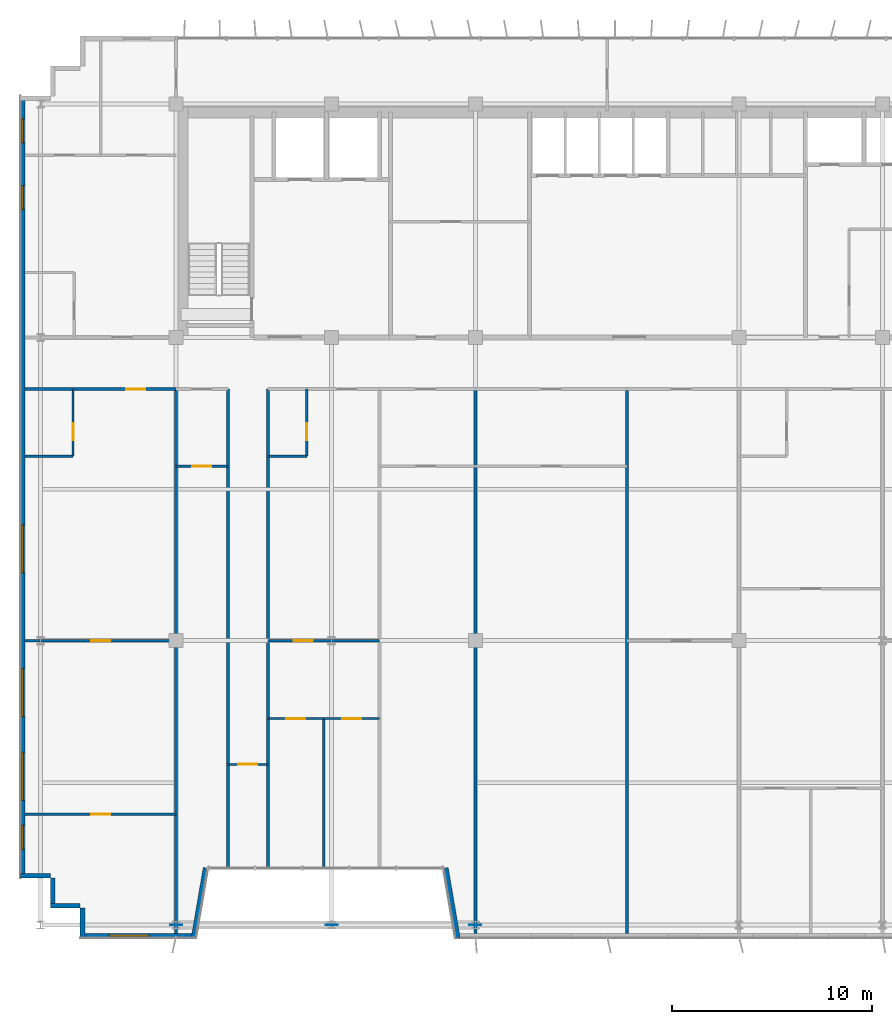
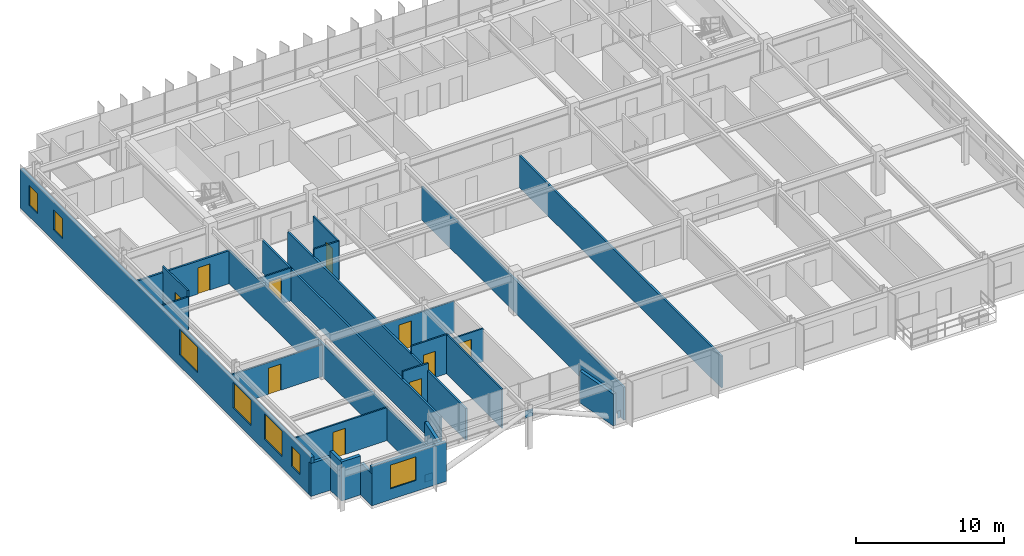
# One storey, part 18 of 24: 26 walls, 10 doors, 7 windows, 3 plates, 17 openings.
"""IFC4 building model written with IfcOpenShell, lengths in metres."""

from ifc_helpers import new_model, si_unit, direction, frame, frame_2d, origin, origin_2d, place, context, subcontext, project, spatial, rectangle, extrude, source, transform, mapped, material, layer, layer_set, type_object, element, fill, save


model = new_model("IFC4")

# Units and contexts
model_context = context("Model", 3, precision=1e-05, world=origin(), true_north=direction((0.0, 1.0)))
body_context = subcontext(model_context, "Body", "Model", "MODEL_VIEW")
ifc_project = project(units=[si_unit("LENGTHUNIT", "METRE"), si_unit("AREAUNIT", "SQUARE_METRE"), si_unit("VOLUMEUNIT", "CUBIC_METRE"), si_unit("PLANEANGLEUNIT", "RADIAN"), si_unit("MASSUNIT", "GRAM", prefix="KILO")], contexts=[model_context])

# Site, building, storey
site_placement = place(None, origin())
site = spatial("IfcSite", under=ifc_project, at=site_placement, CompositionType="ELEMENT")
building_placement = place(site_placement, origin())
building = spatial("IfcBuilding", under=site, at=building_placement, Name="Trelvane Seafront Commons", CompositionType="ELEMENT")
storey_placement = place(building_placement, frame((0.0, 0.0, 178.89990234375)))
storey = spatial("IfcBuildingStorey", under=building, at=storey_placement, Name="L47", CompositionType="ELEMENT", Elevation=178.89990234375)

# Plates
ifc_material_1 = material(Name="Steel SM355 (S355)", Category="steel")
ifc_layer_1 = layer(ifc_material_1, 0.031982421875, Name="STR-PLT-GUS2")
ifc_layer_set_1 = layer_set([ifc_layer_1], Name="Steel SM355 (S355)")
plate_type = type_object("IfcPlateType", Name="STR-PLT-GUS2", PredefinedType="SHEET", material=ifc_layer_set_1)
shared_shape_1 = source(origin(), body_context, "Body", "SweptSolid", [
    extrude(rectangle(XDim=0.60009765625, YDim=0.031982421875, at=origin_2d()), origin(), (0.0, 0.0, 1.0), 0.60009765625),
])
for number, where, z_axis, x_axis, name in (
    (1, (15.60009765625, 3.949951171875, -0.02001953125), (0.0, 0.0, 1.0), (1.0, 0.0, 0.0), "L47 Brace Connection Gusset Plate GP-186"),
    (2, (23.39990234375, 3.949951171875, 2.52001953125), (0.0, 0.0, 1.0), (1.0, 0.0, 0.0), "L47 Brace Connection Gusset Plate GP-187"),
    (3, (30.60009765625, 3.949951171875, -0.02001953125), (0.0, 0.0, 1.0), (1.0, 0.0, 0.0), "L47 Brace Connection Gusset Plate GP-188"),
):
    element("IfcPlate", number, at=place(storey_placement, frame(where, z_axis=z_axis, x_axis=x_axis)), inside=storey, type_object=plate_type, Name=name, PredefinedType="SHEET", context=body_context, shape_type="MappedRepresentation", body=[
        mapped(shared_shape_1, transform((0.0, 0.0, 0.0), x_axis=(1.0, 0.0, 0.0), y_axis=(0.0, 1.0, 0.0), z_axis=(0.0, 0.0, 1.0), scale=1.0)),
    ])

# Walls
ifc_material_2 = material(Name="Precast concrete C40/50", Category="concrete")
ifc_layer_2 = layer(ifc_material_2, 0.239990234375, Name="ARCH-WALL-EXT240")
ifc_layer_set_2 = layer_set([ifc_layer_2], Name="Precast concrete C40/50")
wall_type_1 = type_object("IfcWallType", Name="ARCH-WALL-EXT240", PredefinedType="SOLIDWALL", material=ifc_layer_set_2)
for number, where, z_axis, x_axis, name in (
    (4, (10.800048828125, 4.919921875, 0.0), (0.0, 0.0, 1.0), (-1.0, 0.0, 0.0), "EW-L47-00935"),
    (5, (9.419921875, 4.800048828125, 0.0), (0.0, 0.0, 1.0), (0.0, 1.0, 0.0), "EW-L47-00936"),
):
    element("IfcWall", number, at=place(storey_placement, frame(where, z_axis=z_axis, x_axis=x_axis)), inside=storey, type_object=wall_type_1, Name=name, PredefinedType="SOLIDWALL", context=body_context, shape_type="SweptSolid", body=[
        extrude(rectangle(XDim=1.5, YDim=0.239990234375, at=frame_2d((0.75, 0.0))), origin(), (0.0, 0.0, 1.0), 3.22021484375),
    ])
wall_1_placement = place(storey_placement, frame((9.300048828125, 6.419921875, 0.0), z_axis=(0.0, 0.0, 1.0), x_axis=(-1.0, 0.0, 0.0)))
element("IfcWall", 6, at=wall_1_placement, inside=storey, type_object=wall_type_1, Name="EW-L47-00937", PredefinedType="SOLIDWALL", context=body_context, shape_type="SweptSolid", body=[
    extrude(rectangle(XDim=1.5, YDim=0.239990234375, at=frame_2d((0.75, 0.0))), origin(), (0.0, 0.0, 1.0), 2.72021484375),
])

# Wall, openings, windows
wall_2_placement = place(storey_placement, frame((7.919921875, 6.300048828125, 0.0), z_axis=(0.0, 0.0, 1.0), x_axis=(0.0, 1.0, 0.0)))
wall_2 = element("IfcWall", 7, at=wall_2_placement, inside=storey, type_object=wall_type_1, Name="EW-L47-00938", PredefinedType="SOLIDWALL", context=body_context, shape_type="SweptSolid", body=[
    extrude(rectangle(XDim=39.199951171875, YDim=0.239990234375, at=frame_2d((19.60009765625, 0.0))), origin(), (0.0, 0.0, 1.0), 3.22021484375),
])
opening_1_placement = place(wall_2_placement, frame((1.449951171875, 0.0, 0.919921875)))
opening_1 = element("IfcOpeningElement", 8, at=opening_1_placement, cuts=wall_2, Name="Opening W05", PredefinedType="OPENING", context=body_context, shape_type="SweptSolid", body=[
    extrude(rectangle(XDim=1.199951171875, YDim=1.64990234375, at=frame_2d((0.60009765625, 0.824951171875))), frame((0.0, 0.1298828125, 0.0), z_axis=(0.0, -1.0, 0.0), x_axis=(1.0, 0.0, 0.0)), (0.0, 0.0, 1.0), 0.260009765625),
])
opening_2_placement = place(wall_2_placement, frame((3.89990234375, 0.0, 0.919921875)))
opening_2 = element("IfcOpeningElement", 9, at=opening_2_placement, cuts=wall_2, Name="Opening W08", PredefinedType="OPENING", context=body_context, shape_type="SweptSolid", body=[
    extrude(rectangle(XDim=2.39990234375, YDim=2.10009765625, at=frame_2d((1.199951171875, 1.050048828125))), frame((0.0, 0.1298828125, 0.0), z_axis=(0.0, -1.0, 0.0), x_axis=(1.0, 0.0, 0.0)), (0.0, 0.0, 1.0), 0.260009765625),
])
opening_3_placement = place(wall_2_placement, frame((8.10009765625, 0.0, 0.919921875)))
opening_3 = element("IfcOpeningElement", 10, at=opening_3_placement, cuts=wall_2, Name="Opening W08", PredefinedType="OPENING", context=body_context, shape_type="SweptSolid", body=[
    extrude(rectangle(XDim=2.39990234375, YDim=2.10009765625, at=frame_2d((1.199951171875, 1.050048828125))), frame((0.0, 0.1298828125, 0.0), z_axis=(0.0, -1.0, 0.0), x_axis=(1.0, 0.0, 0.0)), (0.0, 0.0, 1.0), 0.260009765625),
])
opening_4_placement = place(wall_2_placement, frame((15.300048828125, 0.0, 0.919921875)))
opening_4 = element("IfcOpeningElement", 11, at=opening_4_placement, cuts=wall_2, Name="Opening W08", PredefinedType="OPENING", context=body_context, shape_type="SweptSolid", body=[
    extrude(rectangle(XDim=2.39990234375, YDim=2.10009765625, at=frame_2d((1.199951171875, 1.050048828125))), frame((0.0, 0.1298828125, 0.0), z_axis=(0.0, -1.0, 0.0), x_axis=(1.0, 0.0, 0.0)), (0.0, 0.0, 1.0), 0.260009765625),
])
opening_5_placement = place(wall_2_placement, frame((33.5, 0.0, 0.919921875)))
opening_5 = element("IfcOpeningElement", 12, at=opening_5_placement, cuts=wall_2, Name="Opening W05", PredefinedType="OPENING", context=body_context, shape_type="SweptSolid", body=[
    extrude(rectangle(XDim=1.199951171875, YDim=1.64990234375, at=frame_2d((0.60009765625, 0.824951171875))), frame((0.0, 0.1298828125, 0.0), z_axis=(0.0, -1.0, 0.0), x_axis=(1.0, 0.0, 0.0)), (0.0, 0.0, 1.0), 0.260009765625),
])
opening_6_placement = place(wall_2_placement, frame((36.85009765625, 0.0, 0.919921875)))
opening_6 = element("IfcOpeningElement", 13, at=opening_6_placement, cuts=wall_2, Name="Opening W05", PredefinedType="OPENING", context=body_context, shape_type="SweptSolid", body=[
    extrude(rectangle(XDim=1.199951171875, YDim=1.64990234375, at=frame_2d((0.60009765625, 0.824951171875))), frame((0.0, 0.1298828125, 0.0), z_axis=(0.0, -1.0, 0.0), x_axis=(1.0, 0.0, 0.0)), (0.0, 0.0, 1.0), 0.260009765625),
])
ifc_material_3 = material(Name="Low-E coastal double glazing", Category="glass")
window_type_1 = type_object("IfcWindowType", Name="ARCH-WIN-W08", PartitioningType="SINGLE_PANEL", PredefinedType="WINDOW", material=ifc_material_3)
shared_shape_2 = source(origin(), body_context, "Body", "SweptSolid", [
    extrude(rectangle(XDim=2.39990234375, YDim=2.10009765625, at=frame_2d((1.199951171875, 1.050048828125))), frame((0.0, 0.030029296875, 0.0), z_axis=(0.0, -1.0, 0.0), x_axis=(1.0, 0.0, 0.0)), (0.0, 0.0, 1.0), 0.06005859375),
])
window_1_placement = place(opening_2_placement, origin())
window_1 = element("IfcWindow", 14, at=window_1_placement, inside=storey, type_object=window_type_1, Name="WIN-L47-EW-01115", OverallHeight=2.10009765625, OverallWidth=2.39990234375, PartitioningType="SINGLE_PANEL", PredefinedType="WINDOW", context=body_context, shape_type="MappedRepresentation", body=[
    mapped(shared_shape_2, transform((0.0, 0.0, 0.0), x_axis=(1.0, 0.0, 0.0), y_axis=(0.0, 1.0, 0.0), z_axis=(0.0, 0.0, 1.0), scale=1.0)),
])
fill(opening_2, window_1)
window_2_placement = place(opening_3_placement, origin())
window_2 = element("IfcWindow", 15, at=window_2_placement, inside=storey, type_object=window_type_1, Name="WIN-L47-EW-01116", OverallHeight=2.10009765625, OverallWidth=2.39990234375, PartitioningType="SINGLE_PANEL", PredefinedType="WINDOW", context=body_context, shape_type="MappedRepresentation", body=[
    mapped(shared_shape_2, transform((0.0, 0.0, 0.0), x_axis=(1.0, 0.0, 0.0), y_axis=(0.0, 1.0, 0.0), z_axis=(0.0, 0.0, 1.0), scale=1.0)),
])
fill(opening_3, window_2)
window_3_placement = place(opening_4_placement, origin())
window_3 = element("IfcWindow", 16, at=window_3_placement, inside=storey, type_object=window_type_1, Name="WIN-L47-EW-01117", OverallHeight=2.10009765625, OverallWidth=2.39990234375, PartitioningType="SINGLE_PANEL", PredefinedType="WINDOW", context=body_context, shape_type="MappedRepresentation", body=[
    mapped(shared_shape_2, transform((0.0, 0.0, 0.0), x_axis=(1.0, 0.0, 0.0), y_axis=(0.0, 1.0, 0.0), z_axis=(0.0, 0.0, 1.0), scale=1.0)),
])
fill(opening_4, window_3)
window_type_2 = type_object("IfcWindowType", Name="ARCH-WIN-W05", PartitioningType="SINGLE_PANEL", PredefinedType="WINDOW", material=ifc_material_3)
shared_shape_3 = source(origin(), body_context, "Body", "SweptSolid", [
    extrude(rectangle(XDim=1.199951171875, YDim=1.64990234375, at=frame_2d((0.60009765625, 0.824951171875))), frame((0.0, 0.030029296875, 0.0), z_axis=(0.0, -1.0, 0.0), x_axis=(1.0, 0.0, 0.0)), (0.0, 0.0, 1.0), 0.06005859375),
])
window_4_placement = place(opening_1_placement, origin())
window_4 = element("IfcWindow", 17, at=window_4_placement, inside=storey, type_object=window_type_2, Name="WIN-L47-EW-01114", OverallHeight=1.64990234375, OverallWidth=1.199951171875, PartitioningType="SINGLE_PANEL", PredefinedType="WINDOW", context=body_context, shape_type="MappedRepresentation", body=[
    mapped(shared_shape_3, transform((0.0, 0.0, 0.0), x_axis=(1.0, 0.0, 0.0), y_axis=(0.0, 1.0, 0.0), z_axis=(0.0, 0.0, 1.0), scale=1.0)),
])
fill(opening_1, window_4)
window_5_placement = place(opening_5_placement, origin())
window_5 = element("IfcWindow", 18, at=window_5_placement, inside=storey, type_object=window_type_2, Name="WIN-L47-EW-01118", OverallHeight=1.64990234375, OverallWidth=1.199951171875, PartitioningType="SINGLE_PANEL", PredefinedType="WINDOW", context=body_context, shape_type="MappedRepresentation", body=[
    mapped(shared_shape_3, transform((0.0, 0.0, 0.0), x_axis=(1.0, 0.0, 0.0), y_axis=(0.0, 1.0, 0.0), z_axis=(0.0, 0.0, 1.0), scale=1.0)),
])
fill(opening_5, window_5)
window_6_placement = place(opening_6_placement, origin())
window_6 = element("IfcWindow", 19, at=window_6_placement, inside=storey, type_object=window_type_2, Name="WIN-L47-EW-01119", OverallHeight=1.64990234375, OverallWidth=1.199951171875, PartitioningType="SINGLE_PANEL", PredefinedType="WINDOW", context=body_context, shape_type="MappedRepresentation", body=[
    mapped(shared_shape_3, transform((0.0, 0.0, 0.0), x_axis=(1.0, 0.0, 0.0), y_axis=(0.0, 1.0, 0.0), z_axis=(0.0, 0.0, 1.0), scale=1.0)),
])
fill(opening_6, window_6)

# Walls
for number, where, z_axis, x_axis, name in (
    (20, (29.71826171875, 3.3203125, 0.0), (0.0, 0.0, 1.0), (-0.168923741424, 0.98562912375, 0.0), "EW-L47-00953"),
    (21, (17.081787109375, 6.8203125, 0.0), (0.0, 0.0, 1.0), (-0.168990530437, -0.98561767467, 0.0), "EW-L47-00954"),
):
    element("IfcWall", number, at=place(storey_placement, frame(where, z_axis=z_axis, x_axis=x_axis)), inside=storey, type_object=wall_type_1, Name=name, PredefinedType="SOLIDWALL", context=body_context, shape_type="SweptSolid", body=[
        extrude(rectangle(XDim=3.551025390625, YDim=0.239990234375, at=frame_2d((1.775390625, 0.0))), origin(), (0.0, 0.0, 1.0), 2.6201171875),
    ])

# Wall, opening, window
wall_3_placement = place(storey_placement, frame((16.60009765625, 3.419921875, 0.0), z_axis=(0.0, 0.0, 1.0), x_axis=(-1.0, 0.0, 0.0)))
wall_3 = element("IfcWall", 22, at=wall_3_placement, inside=storey, type_object=wall_type_1, Name="EW-L47-00955", PredefinedType="SOLIDWALL", context=body_context, shape_type="SweptSolid", body=[
    extrude(rectangle(XDim=5.800048828125, YDim=0.239990234375, at=frame_2d((2.89990234375, 0.0))), origin(), (0.0, 0.0, 1.0), 3.22021484375),
])
opening_7_placement = place(wall_3_placement, frame((2.35498046875, 0.0, 0.89990234375)))
opening_7 = element("IfcOpeningElement", 23, at=opening_7_placement, cuts=wall_3, Name="Opening W06", PredefinedType="OPENING", context=body_context, shape_type="SweptSolid", body=[
    extrude(rectangle(XDim=2.0, YDim=1.949951171875, at=frame_2d((1.0, 0.97509765625))), frame((0.0, 0.1298828125, 0.0), z_axis=(0.0, -1.0, 0.0), x_axis=(1.0, 0.0, 0.0)), (0.0, 0.0, 1.0), 0.260009765625),
])
window_type_3 = type_object("IfcWindowType", Name="ARCH-WIN-W06", PartitioningType="SINGLE_PANEL", PredefinedType="WINDOW", material=ifc_material_3)
shared_shape_4 = source(origin(), body_context, "Body", "SweptSolid", [
    extrude(rectangle(XDim=2.0, YDim=1.949951171875, at=frame_2d((1.0, 0.97509765625))), frame((0.0, 0.030029296875, 0.0), z_axis=(0.0, -1.0, 0.0), x_axis=(1.0, 0.0, 0.0)), (0.0, 0.0, 1.0), 0.06005859375),
])
window_7_placement = place(opening_7_placement, origin())
window_7 = element("IfcWindow", 24, at=window_7_placement, inside=storey, type_object=window_type_3, Name="WIN-L47-01133", OverallHeight=1.949951171875, OverallWidth=2.0, PartitioningType="SINGLE_PANEL", PredefinedType="WINDOW", context=body_context, shape_type="MappedRepresentation", body=[
    mapped(shared_shape_4, transform((0.0, 0.0, 0.0), x_axis=(1.0, 0.0, 0.0), y_axis=(0.0, 1.0, 0.0), z_axis=(0.0, 0.0, 1.0), scale=1.0)),
])
fill(opening_7, window_7)

# Wall
wall_4_placement = place(storey_placement, frame((10.919921875, 3.300048828125, 0.0), z_axis=(0.0, 0.0, 1.0), x_axis=(0.0, 1.0, 0.0)))
element("IfcWall", 25, at=wall_4_placement, inside=storey, type_object=wall_type_1, Name="EW-L47-00956", PredefinedType="SOLIDWALL", context=body_context, shape_type="SweptSolid", body=[
    extrude(rectangle(XDim=1.5, YDim=0.239990234375, at=frame_2d((0.75, 0.0))), origin(), (0.0, 0.0, 1.0), 2.6201171875),
])

# Wall, opening, door
ifc_material_4 = material(Name="Gypsum Drywall Acoustic Partition")
ifc_layer_3 = layer(ifc_material_4, 0.1201171875, Name="ARCH-WALL-PART120")
ifc_layer_set_3 = layer_set([ifc_layer_3], Name="Gypsum Drywall Acoustic Partition")
wall_type_2 = type_object("IfcWallType", Name="ARCH-WALL-PART120", PredefinedType="PARTITIONING", material=ifc_layer_set_3)
wall_5_placement = place(storey_placement, frame((8.0400390625, 18.199951171875, 0.0), z_axis=(0.0, 0.0, 1.0), x_axis=(1.0, 0.0, 0.0)))
wall_5 = element("IfcWall", 26, at=wall_5_placement, inside=storey, type_object=wall_type_2, Name="W-L47-U1-KL-052", PredefinedType="PARTITIONING", context=body_context, shape_type="SweptSolid", body=[
    extrude(rectangle(XDim=7.56005859375, YDim=0.1201171875, at=frame_2d((3.780029296875, 0.0))), origin(), (0.0, 0.0, 1.0), 2.6201171875),
])
opening_8_placement = place(wall_5_placement, frame((3.304931640625, 0.0, 0.0)))
opening_8 = element("IfcOpeningElement", 27, at=opening_8_placement, cuts=wall_5, Name="Opening D-L47-27", PredefinedType="OPENING", context=body_context, shape_type="SweptSolid", body=[
    extrude(rectangle(XDim=0.949951171875, YDim=2.14990234375, at=frame_2d((0.47509765625, 1.074951171875))), frame((0.0, 0.070068359375, 0.0), z_axis=(0.0, -1.0, 0.0), x_axis=(1.0, 0.0, 0.0)), (0.0, 0.0, 1.0), 0.14013671875),
])
ifc_material_5 = material(Name="Acoustic timber door leaf", Category="wood")
door_type_1 = type_object("IfcDoorType", Name="ARCH-DR-INT950", OperationType="NOTDEFINED", PredefinedType="DOOR", material=ifc_material_5)
shared_shape_5 = source(origin(), body_context, "Body", "SweptSolid", [
    extrude(rectangle(XDim=0.949951171875, YDim=2.14990234375, at=frame_2d((0.47509765625, 1.074951171875))), frame((0.0, 0.02490234375, 0.0), z_axis=(0.0, -1.0, 0.0), x_axis=(1.0, 0.0, 0.0)), (0.0, 0.0, 1.0), 0.050048828125),
])
door_1_placement = place(opening_8_placement, origin())
door_1 = element("IfcDoor", 28, at=door_1_placement, inside=storey, type_object=door_type_1, Name="L47 Door 27", OperationType="SINGLE_SWING_LEFT", OverallHeight=2.14990234375, OverallWidth=0.949951171875, PredefinedType="DOOR", context=body_context, shape_type="MappedRepresentation", body=[
    mapped(shared_shape_5, transform((0.0, 0.0, 0.0), x_axis=(1.0, 0.0, 0.0), y_axis=(0.0, 1.0, 0.0), z_axis=(0.0, 0.0, 1.0), scale=1.0)),
])
fill(opening_8, door_1)

wall_6_placement = place(storey_placement, frame((10.43994140625, 27.449951171875, 0.0), z_axis=(0.0, 0.0, 1.0), x_axis=(0.0, 1.0, 0.0)))
wall_6 = element("IfcWall", 29, at=wall_6_placement, inside=storey, type_object=wall_type_2, Name="W-L47-U1-BE-053", PredefinedType="PARTITIONING", context=body_context, shape_type="SweptSolid", body=[
    extrude(rectangle(XDim=3.35009765625, YDim=0.1201171875, at=frame_2d((1.675048828125, 0.0))), origin(), (0.0, 0.0, 1.0), 3.22021484375),
])
opening_9_placement = place(wall_6_placement, frame((0.800048828125, 0.0, 0.0)))
opening_9 = element("IfcOpeningElement", 30, at=opening_9_placement, cuts=wall_6, Name="Opening D-L47-28", PredefinedType="OPENING", context=body_context, shape_type="SweptSolid", body=[
    extrude(rectangle(XDim=0.85009765625, YDim=2.10009765625, at=frame_2d((0.425048828125, 1.050048828125))), frame((0.0, 0.070068359375, 0.0), z_axis=(0.0, -1.0, 0.0), x_axis=(1.0, 0.0, 0.0)), (0.0, 0.0, 1.0), 0.14013671875),
])
door_type_2 = type_object("IfcDoorType", Name="ARCH-DR-INT850", OperationType="NOTDEFINED", PredefinedType="DOOR", material=ifc_material_5)
shared_shape_6 = source(origin(), body_context, "Body", "SweptSolid", [
    extrude(rectangle(XDim=0.85009765625, YDim=2.10009765625, at=frame_2d((0.425048828125, 1.050048828125))), frame((0.0, 0.02490234375, 0.0), z_axis=(0.0, -1.0, 0.0), x_axis=(1.0, 0.0, 0.0)), (0.0, 0.0, 1.0), 0.050048828125),
])
door_2_placement = place(opening_9_placement, origin())
door_2 = element("IfcDoor", 31, at=door_2_placement, inside=storey, type_object=door_type_2, Name="L47 Door 28", OperationType="SINGLE_SWING_RIGHT", OverallHeight=2.10009765625, OverallWidth=0.85009765625, PredefinedType="DOOR", context=body_context, shape_type="MappedRepresentation", body=[
    mapped(shared_shape_6, transform((0.0, 0.0, 0.0), x_axis=(1.0, 0.0, 0.0), y_axis=(0.0, 1.0, 0.0), z_axis=(0.0, 0.0, 1.0), scale=1.0)),
])
fill(opening_9, door_2)

# Wall
wall_7_placement = place(storey_placement, frame((8.0400390625, 27.449951171875, 0.0), z_axis=(0.0, 0.0, 1.0), x_axis=(1.0, 0.0, 0.0)))
element("IfcWall", 32, at=wall_7_placement, inside=storey, type_object=wall_type_2, Name="W-L47-U1-BS-054", PredefinedType="PARTITIONING", context=body_context, shape_type="SweptSolid", body=[
    extrude(rectangle(XDim=2.39990234375, YDim=0.1201171875, at=frame_2d((1.199951171875, 0.0))), origin(), (0.0, 0.0, 1.0), 2.72021484375),
])

# Wall, opening, door
wall_8_placement = place(storey_placement, frame((8.0400390625, 9.5, 0.0), z_axis=(0.0, 0.0, 1.0), x_axis=(1.0, 0.0, 0.0)))
wall_8 = element("IfcWall", 33, at=wall_8_placement, inside=storey, type_object=wall_type_2, Name="W-L47-U1-YM-1-056", PredefinedType="PARTITIONING", context=body_context, shape_type="SweptSolid", body=[
    extrude(rectangle(XDim=7.56005859375, YDim=0.1201171875, at=frame_2d((3.780029296875, 0.0))), origin(), (0.0, 0.0, 1.0), 2.72021484375),
])
opening_10_placement = place(wall_8_placement, frame((3.304931640625, 0.0, 0.0)))
opening_10 = element("IfcOpeningElement", 34, at=opening_10_placement, cuts=wall_8, Name="Opening D-L47-30", PredefinedType="OPENING", context=body_context, shape_type="SweptSolid", body=[
    extrude(rectangle(XDim=0.949951171875, YDim=2.14990234375, at=frame_2d((0.47509765625, 1.074951171875))), frame((0.0, 0.070068359375, 0.0), z_axis=(0.0, -1.0, 0.0), x_axis=(1.0, 0.0, 0.0)), (0.0, 0.0, 1.0), 0.14013671875),
])
door_3_placement = place(opening_10_placement, origin())
door_3 = element("IfcDoor", 35, at=door_3_placement, inside=storey, type_object=door_type_1, Name="L47 Door 30", OperationType="SINGLE_SWING_RIGHT", OverallHeight=2.14990234375, OverallWidth=0.949951171875, PredefinedType="DOOR", context=body_context, shape_type="MappedRepresentation", body=[
    mapped(shared_shape_5, transform((0.0, 0.0, 0.0), x_axis=(1.0, 0.0, 0.0), y_axis=(0.0, 1.0, 0.0), z_axis=(0.0, 0.0, 1.0), scale=1.0)),
])
fill(opening_10, door_3)

wall_9_placement = place(storey_placement, frame((15.60009765625, 26.949951171875, 0.0), z_axis=(0.0, 0.0, 1.0), x_axis=(1.0, 0.0, 0.0)))
wall_9 = element("IfcWall", 36, at=wall_9_placement, inside=storey, type_object=wall_type_2, Name="W-L47-U2-DIV-058", PredefinedType="PARTITIONING", context=body_context, shape_type="SweptSolid", body=[
    extrude(rectangle(XDim=2.599853515625, YDim=0.1201171875, at=frame_2d((1.2998046875, 0.0))), origin(), (0.0, 0.0, 1.0), 2.72021484375),
])
opening_11_placement = place(wall_9_placement, frame((0.824951171875, 0.0, 0.0)))
opening_11 = element("IfcOpeningElement", 37, at=opening_11_placement, cuts=wall_9, Name="Opening D-L47-32", PredefinedType="OPENING", context=body_context, shape_type="SweptSolid", body=[
    extrude(rectangle(XDim=0.949951171875, YDim=2.14990234375, at=frame_2d((0.47509765625, 1.074951171875))), frame((0.0, 0.070068359375, 0.0), z_axis=(0.0, -1.0, 0.0), x_axis=(1.0, 0.0, 0.0)), (0.0, 0.0, 1.0), 0.14013671875),
])
door_4_placement = place(opening_11_placement, origin())
door_4 = element("IfcDoor", 38, at=door_4_placement, inside=storey, type_object=door_type_1, Name="L47 Door 32", OperationType="SINGLE_SWING_RIGHT", OverallHeight=2.14990234375, OverallWidth=0.949951171875, PredefinedType="DOOR", context=body_context, shape_type="MappedRepresentation", body=[
    mapped(shared_shape_5, transform((0.0, 0.0, 0.0), x_axis=(1.0, 0.0, 0.0), y_axis=(0.0, 1.0, 0.0), z_axis=(0.0, 0.0, 1.0), scale=1.0)),
])
fill(opening_11, door_4)

wall_10_placement = place(storey_placement, frame((18.199951171875, 12.0, 0.0), z_axis=(0.0, 0.0, 1.0), x_axis=(1.0, 0.0, 0.0)))
wall_10 = element("IfcWall", 39, at=wall_10_placement, inside=storey, type_object=wall_type_2, Name="W-L47-ARM-END-3-061", PredefinedType="PARTITIONING", context=body_context, shape_type="SweptSolid", body=[
    extrude(rectangle(XDim=2.0, YDim=0.1201171875, at=frame_2d((1.0, 0.0))), origin(), (0.0, 0.0, 1.0), 3.22021484375),
])
opening_12_placement = place(wall_10_placement, frame((0.52001953125, 0.0, 0.0)))
opening_12 = element("IfcOpeningElement", 40, at=opening_12_placement, cuts=wall_10, Name="Opening D-L47-33", PredefinedType="OPENING", context=body_context, shape_type="SweptSolid", body=[
    extrude(rectangle(XDim=0.949951171875, YDim=2.14990234375, at=frame_2d((0.47509765625, 1.074951171875))), frame((0.0, 0.070068359375, 0.0), z_axis=(0.0, -1.0, 0.0), x_axis=(1.0, 0.0, 0.0)), (0.0, 0.0, 1.0), 0.14013671875),
])
door_5_placement = place(opening_12_placement, origin())
door_5 = element("IfcDoor", 41, at=door_5_placement, inside=storey, type_object=door_type_1, Name="L47 Door 33", OperationType="SINGLE_SWING_LEFT", OverallHeight=2.14990234375, OverallWidth=0.949951171875, PredefinedType="DOOR", context=body_context, shape_type="MappedRepresentation", body=[
    mapped(shared_shape_5, transform((0.0, 0.0, 0.0), x_axis=(1.0, 0.0, 0.0), y_axis=(0.0, 1.0, 0.0), z_axis=(0.0, 0.0, 1.0), scale=1.0)),
])
fill(opening_12, door_5)

wall_11_placement = place(storey_placement, frame((20.199951171875, 18.199951171875, 0.0), z_axis=(0.0, 0.0, 1.0), x_axis=(1.0, 0.0, 0.0)))
wall_11 = element("IfcWall", 42, at=wall_11_placement, inside=storey, type_object=wall_type_2, Name="W-L47-U4-KL-062", PredefinedType="PARTITIONING", context=body_context, shape_type="SweptSolid", body=[
    extrude(rectangle(XDim=5.60009765625, YDim=0.1201171875, at=frame_2d((2.800048828125, 0.0))), origin(), (0.0, 0.0, 1.0), 2.6201171875),
])
opening_13_placement = place(wall_11_placement, frame((1.305908203125, 0.0, 0.0)))
opening_13 = element("IfcOpeningElement", 43, at=opening_13_placement, cuts=wall_11, Name="Opening D-L47-34", PredefinedType="OPENING", context=body_context, shape_type="SweptSolid", body=[
    extrude(rectangle(XDim=0.949951171875, YDim=2.14990234375, at=frame_2d((0.47509765625, 1.074951171875))), frame((0.0, 0.070068359375, 0.0), z_axis=(0.0, -1.0, 0.0), x_axis=(1.0, 0.0, 0.0)), (0.0, 0.0, 1.0), 0.14013671875),
])
door_6_placement = place(opening_13_placement, origin())
door_6 = element("IfcDoor", 44, at=door_6_placement, inside=storey, type_object=door_type_1, Name="L47 Door 34", OperationType="SINGLE_SWING_RIGHT", OverallHeight=2.14990234375, OverallWidth=0.949951171875, PredefinedType="DOOR", context=body_context, shape_type="MappedRepresentation", body=[
    mapped(shared_shape_5, transform((0.0, 0.0, 0.0), x_axis=(1.0, 0.0, 0.0), y_axis=(0.0, 1.0, 0.0), z_axis=(0.0, 0.0, 1.0), scale=1.0)),
])
fill(opening_13, door_6)

wall_12_placement = place(storey_placement, frame((22.154052734375, 27.449951171875, 0.0), z_axis=(0.0, 0.0, 1.0), x_axis=(0.0, 1.0, 0.0)))
wall_12 = element("IfcWall", 45, at=wall_12_placement, inside=storey, type_object=wall_type_2, Name="W-L47-U4-BE-063", PredefinedType="PARTITIONING", context=body_context, shape_type="SweptSolid", body=[
    extrude(rectangle(XDim=3.35009765625, YDim=0.1201171875, at=frame_2d((1.675048828125, 0.0))), origin(), (0.0, 0.0, 1.0), 3.22021484375),
])
opening_14_placement = place(wall_12_placement, frame((0.800048828125, 0.0, 0.0)))
opening_14 = element("IfcOpeningElement", 46, at=opening_14_placement, cuts=wall_12, Name="Opening D-L47-35", PredefinedType="OPENING", context=body_context, shape_type="SweptSolid", body=[
    extrude(rectangle(XDim=0.85009765625, YDim=2.10009765625, at=frame_2d((0.425048828125, 1.050048828125))), frame((0.0, 0.070068359375, 0.0), z_axis=(0.0, -1.0, 0.0), x_axis=(1.0, 0.0, 0.0)), (0.0, 0.0, 1.0), 0.14013671875),
])
door_7_placement = place(opening_14_placement, origin())
door_7 = element("IfcDoor", 47, at=door_7_placement, inside=storey, type_object=door_type_2, Name="L47 Door 35", OperationType="SINGLE_SWING_LEFT", OverallHeight=2.10009765625, OverallWidth=0.85009765625, PredefinedType="DOOR", context=body_context, shape_type="MappedRepresentation", body=[
    mapped(shared_shape_6, transform((0.0, 0.0, 0.0), x_axis=(1.0, 0.0, 0.0), y_axis=(0.0, 1.0, 0.0), z_axis=(0.0, 0.0, 1.0), scale=1.0)),
])
fill(opening_14, door_7)

# Wall
wall_13_placement = place(storey_placement, frame((20.199951171875, 27.449951171875, 0.0), z_axis=(0.0, 0.0, 1.0), x_axis=(1.0, 0.0, 0.0)))
element("IfcWall", 48, at=wall_13_placement, inside=storey, type_object=wall_type_2, Name="W-L47-U4-BS-064", PredefinedType="PARTITIONING", context=body_context, shape_type="SweptSolid", body=[
    extrude(rectangle(XDim=1.9541015625, YDim=0.1201171875, at=frame_2d((0.97705078125, 0.0))), origin(), (0.0, 0.0, 1.0), 3.22021484375),
])

# Wall, opening, door
wall_14_placement = place(storey_placement, frame((20.199951171875, 14.300048828125, 0.0), z_axis=(0.0, 0.0, 1.0), x_axis=(1.0, 0.0, 0.0)))
wall_14 = element("IfcWall", 49, at=wall_14_placement, inside=storey, type_object=wall_type_2, Name="W-L47-U4-YM-1-066", PredefinedType="PARTITIONING", context=body_context, shape_type="SweptSolid", body=[
    extrude(rectangle(XDim=2.800048828125, YDim=0.1201171875, at=frame_2d((1.39990234375, 0.0))), origin(), (0.0, 0.0, 1.0), 3.22021484375),
])
opening_15_placement = place(wall_14_placement, frame((0.925048828125, 0.0, 0.0)))
opening_15 = element("IfcOpeningElement", 50, at=opening_15_placement, cuts=wall_14, Name="Opening D-L47-37", PredefinedType="OPENING", context=body_context, shape_type="SweptSolid", body=[
    extrude(rectangle(XDim=0.949951171875, YDim=2.14990234375, at=frame_2d((0.47509765625, 1.074951171875))), frame((0.0, 0.070068359375, 0.0), z_axis=(0.0, -1.0, 0.0), x_axis=(1.0, 0.0, 0.0)), (0.0, 0.0, 1.0), 0.14013671875),
])
door_8_placement = place(opening_15_placement, origin())
door_8 = element("IfcDoor", 51, at=door_8_placement, inside=storey, type_object=door_type_1, Name="L47 Door 37", OperationType="SINGLE_SWING_LEFT", OverallHeight=2.14990234375, OverallWidth=0.949951171875, PredefinedType="DOOR", context=body_context, shape_type="MappedRepresentation", body=[
    mapped(shared_shape_5, transform((0.0, 0.0, 0.0), x_axis=(1.0, 0.0, 0.0), y_axis=(0.0, 1.0, 0.0), z_axis=(0.0, 0.0, 1.0), scale=1.0)),
])
fill(opening_15, door_8)

wall_15_placement = place(storey_placement, frame((23.0, 14.300048828125, 0.0), z_axis=(0.0, 0.0, 1.0), x_axis=(1.0, 0.0, 0.0)))
wall_15 = element("IfcWall", 52, at=wall_15_placement, inside=storey, type_object=wall_type_2, Name="W-L47-U4-YM-2-067", PredefinedType="PARTITIONING", context=body_context, shape_type="SweptSolid", body=[
    extrude(rectangle(XDim=2.800048828125, YDim=0.1201171875, at=frame_2d((1.39990234375, 0.0))), origin(), (0.0, 0.0, 1.0), 2.72021484375),
])
opening_16_placement = place(wall_15_placement, frame((0.925048828125, 0.0, 0.0)))
opening_16 = element("IfcOpeningElement", 53, at=opening_16_placement, cuts=wall_15, Name="Opening D-L47-38", PredefinedType="OPENING", context=body_context, shape_type="SweptSolid", body=[
    extrude(rectangle(XDim=0.949951171875, YDim=2.14990234375, at=frame_2d((0.47509765625, 1.074951171875))), frame((0.0, 0.070068359375, 0.0), z_axis=(0.0, -1.0, 0.0), x_axis=(1.0, 0.0, 0.0)), (0.0, 0.0, 1.0), 0.14013671875),
])
door_9_placement = place(opening_16_placement, origin())
door_9 = element("IfcDoor", 54, at=door_9_placement, inside=storey, type_object=door_type_1, Name="L47 Door 38", OperationType="SINGLE_SWING_RIGHT", OverallHeight=2.14990234375, OverallWidth=0.949951171875, PredefinedType="DOOR", context=body_context, shape_type="MappedRepresentation", body=[
    mapped(shared_shape_5, transform((0.0, 0.0, 0.0), x_axis=(1.0, 0.0, 0.0), y_axis=(0.0, 1.0, 0.0), z_axis=(0.0, 0.0, 1.0), scale=1.0)),
])
fill(opening_16, door_9)

# Walls
wall_16_placement = place(storey_placement, frame((23.0, 6.81005859375, 0.0), z_axis=(0.0, 0.0, 1.0), x_axis=(0.0, 1.0, 0.0)))
element("IfcWall", 55, at=wall_16_placement, inside=storey, type_object=wall_type_2, Name="W-L47-U4-BDV-1-068", PredefinedType="PARTITIONING", context=body_context, shape_type="SweptSolid", body=[
    extrude(rectangle(XDim=7.489990234375, YDim=0.1201171875, at=frame_2d((3.7451171875, 0.0))), origin(), (0.0, 0.0, 1.0), 3.22021484375),
])
ifc_layer_4 = layer(ifc_material_4, 0.14990234375, Name="ARCH-WALL-PART150")
ifc_layer_set_4 = layer_set([ifc_layer_4], Name="Gypsum Drywall Acoustic Partition")
wall_type_3 = type_object("IfcWallType", Name="ARCH-WALL-PART150", PredefinedType="PARTITIONING", material=ifc_layer_set_4)
for number, where, z_axis, x_axis, name in (
    (56, (15.60009765625, 3.52490234375, 0.0), (0.0, 0.0, 1.0), (0.0, 1.0, 0.0), "W-L47-PW-1-046"),
    (57, (30.60009765625, 3.52490234375, 0.0), (0.0, 0.0, 1.0), (0.0, 1.0, 0.0), "W-L47-PW-5-048"),
):
    element("IfcWall", number, at=place(storey_placement, frame(where, z_axis=z_axis, x_axis=x_axis)), inside=storey, type_object=wall_type_3, Name=name, PredefinedType="PARTITIONING", context=body_context, shape_type="SweptSolid", body=[
        extrude(rectangle(XDim=27.275146484375, YDim=0.14990234375, at=frame_2d((13.6376953125, 0.0))), origin(), (0.0, 0.0, 1.0), 2.72021484375),
    ])
wall_17_placement = place(storey_placement, frame((38.199951171875, 3.52490234375, 0.0), z_axis=(0.0, 0.0, 1.0), x_axis=(0.0, 1.0, 0.0)))
element("IfcWall", 58, at=wall_17_placement, inside=storey, type_object=wall_type_3, Name="W-L47-PW-6-049", PredefinedType="PARTITIONING", context=body_context, shape_type="SweptSolid", body=[
    extrude(rectangle(XDim=27.275146484375, YDim=0.14990234375, at=frame_2d((13.6376953125, 0.0))), origin(), (0.0, 0.0, 1.0), 2.6201171875),
])

# Wall, opening, door
wall_18_placement = place(storey_placement, frame((8.02490234375, 30.800048828125, 0.0), z_axis=(0.0, 0.0, 1.0), x_axis=(1.0, 0.0, 0.0)))
wall_18 = element("IfcWall", 59, at=wall_18_placement, inside=storey, type_object=wall_type_3, Name="W-L47-CS-BAY-1-055", PredefinedType="PARTITIONING", context=body_context, shape_type="SweptSolid", body=[
    extrude(rectangle(XDim=7.5751953125, YDim=0.14990234375, at=frame_2d((3.78759765625, 0.0))), origin(), (0.0, 0.0, 1.0), 2.72021484375),
])
opening_17_placement = place(wall_18_placement, frame((5.072998046875, 0.0, 0.0)))
opening_17 = element("IfcOpeningElement", 60, at=opening_17_placement, cuts=wall_18, Name="Opening FD-L47-29", PredefinedType="OPENING", context=body_context, shape_type="SweptSolid", body=[
    extrude(rectangle(XDim=0.949951171875, YDim=2.14990234375, at=frame_2d((0.47509765625, 1.074951171875))), frame((0.0, 0.0849609375, 0.0), z_axis=(0.0, -1.0, 0.0), x_axis=(1.0, 0.0, 0.0)), (0.0, 0.0, 1.0), 0.169921875),
])
ifc_material_6 = material(Name="Powder-coated aluminium frame", Category="aluminium")
door_type_3 = type_object("IfcDoorType", Name="ARCH-DR-FD60-950", OperationType="NOTDEFINED", PredefinedType="DOOR", material=ifc_material_6)
door_10_placement = place(opening_17_placement, origin())
door_10 = element("IfcDoor", 61, at=door_10_placement, inside=storey, type_object=door_type_3, Name="L47 Unit 01 Entrance Door", OperationType="SINGLE_SWING_LEFT", OverallHeight=2.14990234375, OverallWidth=0.949951171875, PredefinedType="DOOR", context=body_context, shape_type="MappedRepresentation", body=[
    mapped(shared_shape_5, transform((0.0, 0.0, 0.0), x_axis=(1.0, 0.0, 0.0), y_axis=(0.0, 1.0, 0.0), z_axis=(0.0, 0.0, 1.0), scale=1.0)),
])
fill(opening_17, door_10)

# Walls
for number, where, z_axis, x_axis, name in (
    (62, (18.199951171875, 6.81005859375, 0.0), (0.0, 0.0, 1.0), (0.0, 1.0, 0.0), "W-L47-ARM-W-3-059"),
    (63, (20.199951171875, 6.81005859375, 0.0), (0.0, 0.0, 1.0), (0.0, 1.0, 0.0), "W-L47-ARM-E-3-060"),
):
    element("IfcWall", number, at=place(storey_placement, frame(where, z_axis=z_axis, x_axis=x_axis)), inside=storey, type_object=wall_type_3, Name=name, PredefinedType="PARTITIONING", context=body_context, shape_type="SweptSolid", body=[
        extrude(rectangle(XDim=23.989990234375, YDim=0.14990234375, at=frame_2d((11.9951171875, 0.0))), origin(), (0.0, 0.0, 1.0), 2.6201171875),
    ])

save(model, "model.ifc")
